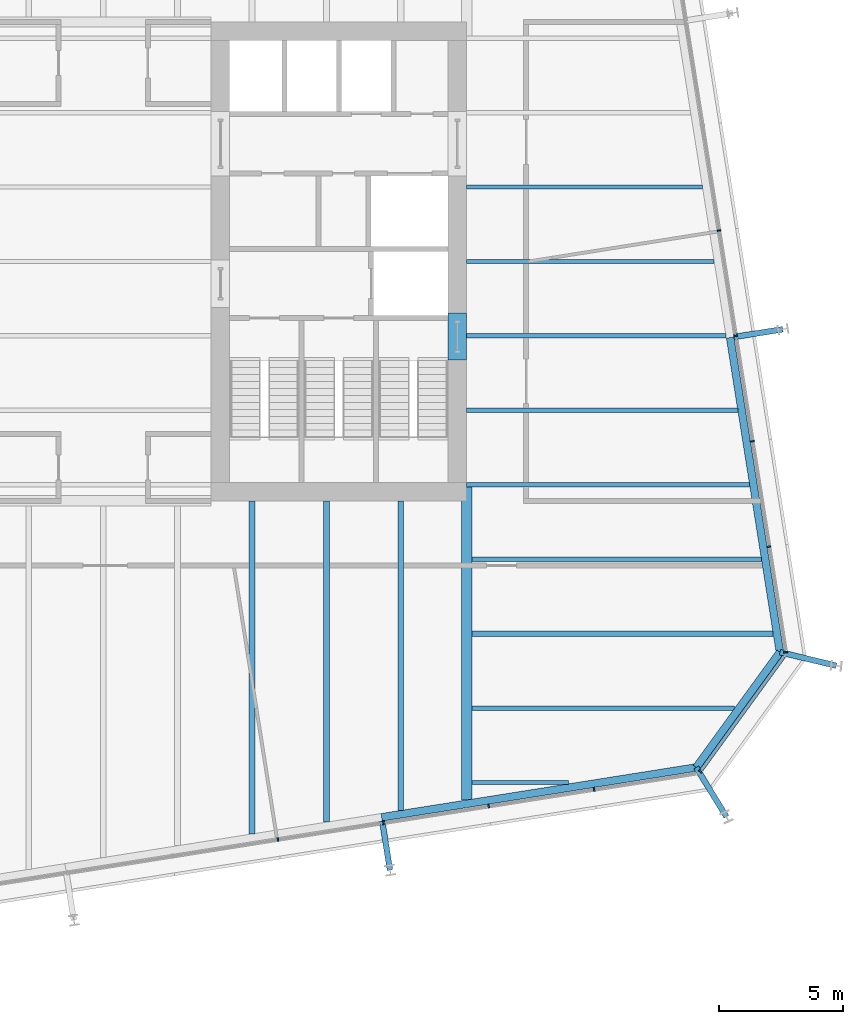
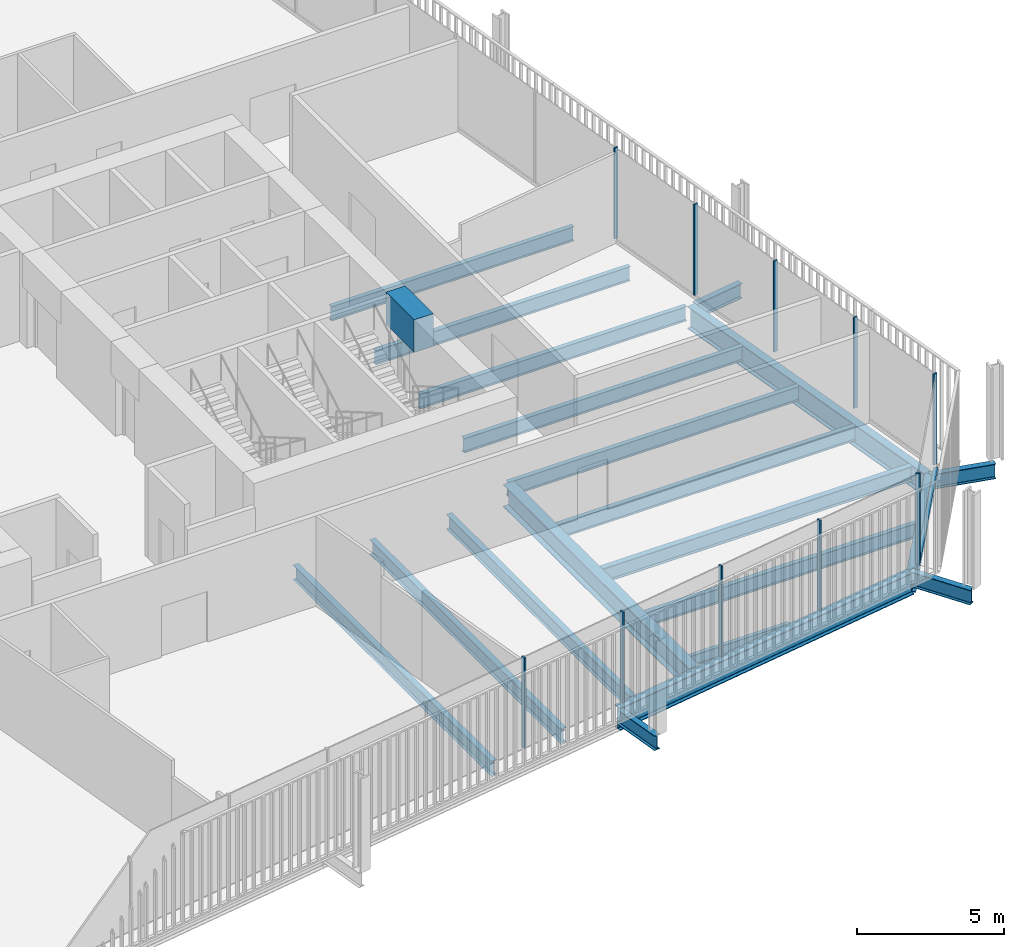
# One storey, part 8 of 21: 21 beams, 11 members, 3 elements without a shape of their own.
"""IFC4 building model written with IfcOpenShell, lengths in metres."""

from ifc_helpers import new_model, si_unit, direction, frame, origin, origin_2d, place, context, subcontext, project, spatial, rectangle, i_section, extrude, material, layer, layer_set, material_profile, profile_set, type_object, element, aggregate, save


model = new_model("IFC4")

# Units and contexts
model_context = context("Model", 3, precision=1e-05, world=origin(), true_north=direction((0.0, 1.0)))
body_context = subcontext(model_context, "Body", "Model", "MODEL_VIEW")
ifc_project = project(units=[si_unit("LENGTHUNIT", "METRE"), si_unit("AREAUNIT", "SQUARE_METRE"), si_unit("VOLUMEUNIT", "CUBIC_METRE"), si_unit("PLANEANGLEUNIT", "RADIAN"), si_unit("MASSUNIT", "GRAM", prefix="KILO")], contexts=[model_context])

# Site, building, storey
site_placement = place(None, origin())
site = spatial("IfcSite", under=ifc_project, at=site_placement, CompositionType="ELEMENT")
building_placement = place(site_placement, origin())
building = spatial("IfcBuilding", under=site, at=building_placement, Name="Millrace Tower", CompositionType="ELEMENT")
storey_placement = place(building_placement, frame((0.0, 0.0, 183.89990234375)))
storey = spatial("IfcBuildingStorey", under=building, at=storey_placement, Name="L41", CompositionType="ELEMENT", Elevation=183.89990234375)

# Curtain wall, members
ifc_material_1 = material(Name="Aluminium and glass", Category="aluminium")
ifc_layer = layer(ifc_material_1, 0.14990234375)
ifc_layer_set = layer_set([ifc_layer], Name="Aluminium and glass")
curtain_wall_type = type_object("IfcCurtainWallType", Name="CW-1 office vision curtain wall", PredefinedType="NOTDEFINED", material=ifc_layer_set)
placement = place(storey_placement, origin())
curtain_wall_1 = element("IfcCurtainWall", 1, at=placement, inside=storey, type_object=curtain_wall_type, Name="Curtain wall C-F02 L41", PredefinedType="NOTDEFINED")
ifc_material_2 = material(Name="Aluminium", Category="aluminium")
ifc_material_profile_1 = material_profile(ifc_material_2, rectangle(XDim=0.06494140625, YDim=0.14990234375, at=origin_2d()))
ifc_profile_set_1 = profile_set([ifc_material_profile_1], Name="Aluminium")
member_type_1 = type_object("IfcMemberType", Name="CW-1 office vision curtain wall mullion", PredefinedType="MULLION", material=ifc_profile_set_1)
member_1_placement = place(storey_placement, frame((7.04345703125, -23.293212890625, 0.14013671875), z_axis=(0.0, 0.0, 1.0), x_axis=(0.98768833929, 0.15643447328, 0.0)))
member_1 = element("IfcMember", 2, at=member_1_placement, type_object=member_type_1, Name="CW1 mullion C-F02.6", PredefinedType="MULLION", context=body_context, shape_type="SweptSolid", body=[
    extrude(rectangle(XDim=0.06494140625, YDim=0.14990234375, at=origin_2d()), origin(), (0.0, 0.0, 1.0), 3.760009765625),
])
member_2_placement = place(storey_placement, frame((11.29052734375, -22.62060546875, 0.14013671875), z_axis=(0.0, 0.0, 1.0), x_axis=(0.98768833929, 0.15643447328, 0.0)))
member_2 = element("IfcMember", 3, at=member_2_placement, type_object=member_type_1, Name="CW1 mullion C-F02.7", PredefinedType="MULLION", context=body_context, shape_type="SweptSolid", body=[
    extrude(rectangle(XDim=0.06494140625, YDim=0.14990234375, at=origin_2d()), origin(), (0.0, 0.0, 1.0), 3.760009765625),
])
member_3_placement = place(storey_placement, frame((15.53759765625, -21.947998046875, 0.14013671875), z_axis=(0.0, 0.0, 1.0), x_axis=(0.98768833929, 0.15643447328, 0.0)))
member_3 = element("IfcMember", 4, at=member_3_placement, type_object=member_type_1, Name="CW1 mullion C-F02.8", PredefinedType="MULLION", context=body_context, shape_type="SweptSolid", body=[
    extrude(rectangle(XDim=0.06494140625, YDim=0.14990234375, at=origin_2d()), origin(), (0.0, 0.0, 1.0), 3.760009765625),
])
member_4_placement = place(storey_placement, frame((19.78466796875, -21.275390625, 0.14013671875), z_axis=(0.0, 0.0, 1.0), x_axis=(0.98768833929, 0.15643447328, 0.0)))
member_4 = element("IfcMember", 5, at=member_4_placement, type_object=member_type_1, Name="CW1 mullion C-F02.9", PredefinedType="MULLION", context=body_context, shape_type="SweptSolid", body=[
    extrude(rectangle(XDim=0.06494140625, YDim=0.14990234375, at=origin_2d()), origin(), (0.0, 0.0, 1.0), 3.760009765625),
])
aggregate(curtain_wall_1, [member_1, member_2, member_3, member_4])

# Curtain wall, member
curtain_wall_2 = element("IfcCurtainWall", 6, at=placement, inside=storey, type_object=curtain_wall_type, Name="Curtain wall C-F03 L41", PredefinedType="NOTDEFINED")
member_5_placement = place(storey_placement, frame((24.06787109375, -20.551513671875, 0.14013671875), z_axis=(0.0, 0.0, 1.0), x_axis=(0.587785269844, 0.809016981623, 0.0)))
member_5 = element("IfcMember", 7, at=member_5_placement, type_object=member_type_1, Name="CW1 mullion C-F03.1", PredefinedType="MULLION", context=body_context, shape_type="SweptSolid", body=[
    extrude(rectangle(XDim=0.06494140625, YDim=0.14990234375, at=origin_2d()), origin(), (0.0, 0.0, 1.0), 3.760009765625),
])

# Curtain wall, members
curtain_wall_3 = element("IfcCurtainWall", 8, at=placement, inside=storey, type_object=curtain_wall_type, Name="Curtain wall C-F04 L41", PredefinedType="NOTDEFINED")
member_6_placement = place(storey_placement, frame((27.506591796875, -15.74169921875, 0.14013671875), z_axis=(0.0, 0.0, 1.0), x_axis=(-0.15643447328, 0.98768833929, 0.0)))
member_6 = element("IfcMember", 9, at=member_6_placement, type_object=member_type_1, Name="CW1 mullion C-F04.1", PredefinedType="MULLION", context=body_context, shape_type="SweptSolid", body=[
    extrude(rectangle(XDim=0.06494140625, YDim=0.14990234375, at=origin_2d()), origin(), (0.0, 0.0, 1.0), 3.760009765625),
])
member_7_placement = place(storey_placement, frame((26.833984375, -11.49462890625, 0.14013671875), z_axis=(0.0, 0.0, 1.0), x_axis=(-0.15643447328, 0.98768833929, 0.0)))
member_7 = element("IfcMember", 10, at=member_7_placement, type_object=member_type_1, Name="CW1 mullion C-F04.2", PredefinedType="MULLION", context=body_context, shape_type="SweptSolid", body=[
    extrude(rectangle(XDim=0.06494140625, YDim=0.14990234375, at=origin_2d()), origin(), (0.0, 0.0, 1.0), 3.760009765625),
])
member_8_placement = place(storey_placement, frame((26.161376953125, -7.24755859375, 0.14013671875), z_axis=(0.0, 0.0, 1.0), x_axis=(-0.15643447328, 0.98768833929, 0.0)))
member_8 = element("IfcMember", 11, at=member_8_placement, type_object=member_type_1, Name="CW1 mullion C-F04.3", PredefinedType="MULLION", context=body_context, shape_type="SweptSolid", body=[
    extrude(rectangle(XDim=0.06494140625, YDim=0.14990234375, at=origin_2d()), origin(), (0.0, 0.0, 1.0), 3.760009765625),
])
member_9_placement = place(storey_placement, frame((25.48876953125, -3.00048828125, 0.14013671875), z_axis=(0.0, 0.0, 1.0), x_axis=(-0.15643447328, 0.98768833929, 0.0)))
member_9 = element("IfcMember", 12, at=member_9_placement, type_object=member_type_1, Name="CW1 mullion C-F04.4", PredefinedType="MULLION", context=body_context, shape_type="SweptSolid", body=[
    extrude(rectangle(XDim=0.06494140625, YDim=0.14990234375, at=origin_2d()), origin(), (0.0, 0.0, 1.0), 3.760009765625),
])
member_10_placement = place(storey_placement, frame((24.81591796875, 1.24658203125, 0.14013671875), z_axis=(0.0, 0.0, 1.0), x_axis=(-0.15643447328, 0.98768833929, 0.0)))
member_10 = element("IfcMember", 13, at=member_10_placement, type_object=member_type_1, Name="CW1 mullion C-F04.5", PredefinedType="MULLION", context=body_context, shape_type="SweptSolid", body=[
    extrude(rectangle(XDim=0.06494140625, YDim=0.14990234375, at=origin_2d()), origin(), (0.0, 0.0, 1.0), 3.760009765625),
])
aggregate(curtain_wall_3, [member_6, member_7, member_8, member_9, member_10])

# Member
ifc_material_3 = material(Name="Aluminium", Category="aluminium")
ifc_material_profile_2 = material_profile(ifc_material_3, rectangle(XDim=0.14990234375, YDim=0.139892578125, at=origin_2d()))
ifc_profile_set_2 = profile_set([ifc_material_profile_2], Name="Aluminium")
member_type_2 = type_object("IfcMemberType", Name="CW-1 office vision curtain wall transom", PredefinedType="USERDEFINED", material=ifc_profile_set_2)
member_11_placement = place(storey_placement, frame((24.107421875, -20.496826171875, 0.070068359375), z_axis=(0.587810581339, 0.808998591139, 0.0), x_axis=(-0.808998591139, 0.587810581339, 0.0)))
member_11 = element("IfcMember", 14, at=member_11_placement, type_object=member_type_2, Name="CW1 transom C-F03.1", ObjectType="TRANSOM", PredefinedType="USERDEFINED", context=body_context, shape_type="SweptSolid", body=[
    extrude(rectangle(XDim=0.14990234375, YDim=0.139892578125, at=origin_2d()), origin(), (0.0, 0.0, 1.0), 5.6689453125),
])

aggregate(curtain_wall_2, [member_5, member_11])

# Beams
ifc_material_4 = material(Name="Concrete C70", Category="concrete")
ifc_material_profile_3 = material_profile(ifc_material_4, rectangle(XDim=0.75, YDim=1.340087890625, at=origin_2d()))
ifc_profile_set_3 = profile_set([ifc_material_profile_3], Name="Concrete C70")
beam_type_1 = type_object("IfcBeamType", Name="Coupling beam 750 x 1340 Concrete C70, 1300 opening", PredefinedType="BEAM", material=ifc_profile_set_3)
beam_1_placement = place(storey_placement, frame((14.27490234375, -2.080078125, 3.070068359375), z_axis=(0.0, -1.0, 0.0), x_axis=(1.0, 0.0, 0.0)))
element("IfcBeam", 15, at=beam_1_placement, inside=storey, type_object=beam_type_1, Name="Coupling beam E L41", PredefinedType="BEAM", context=body_context, shape_type="SweptSolid", body=[
    extrude(rectangle(XDim=0.75, YDim=1.340087890625, at=origin_2d()), origin(), (0.0, 0.0, 1.0), 1.89990234375),
])
ifc_material_5 = material(Name="Steel ASTM A992 Grade 50", Category="steel")
ifc_material_profile_4 = material_profile(ifc_material_5, i_section(OverallWidth=0.15234375, OverallDepth=0.449462890625, WebThickness=0.007568359375, FlangeThickness=0.0107421875, FilletRadius=0.01025390625, at=origin_2d()))
ifc_profile_set_4 = profile_set([ifc_material_profile_4], Name="Steel ASTM A992 Grade 50")
beam_type_2 = type_object("IfcBeamType", Name="Floor beam W18x35", PredefinedType="JOIST", material=ifc_profile_set_4)
beam_2_placement = place(storey_placement, frame((14.859619140625, -21.0, -0.384765625), z_axis=(1.0, 0.0, 0.0), x_axis=(0.0, 1.0, 0.0)))
element("IfcBeam", 16, at=beam_2_placement, inside=storey, type_object=beam_type_2, Name="BM-C-L41-S1-S003", PredefinedType="JOIST", context=body_context, shape_type="SweptSolid", body=[
    extrude(i_section(OverallWidth=0.15234375, OverallDepth=0.449462890625, WebThickness=0.007568359375, FlangeThickness=0.0107421875, FilletRadius=0.01025390625, at=origin_2d()), origin(), (0.0, 0.0, 1.0), 3.9033203125),
])
ifc_material_6 = material(Name="Steel ASTM A992 Grade 50", Category="steel")
ifc_material_profile_5 = material_profile(ifc_material_6, i_section(OverallWidth=0.177978515625, OverallDepth=0.599365234375, WebThickness=0.010009765625, FlangeThickness=0.012939453125, FilletRadius=0.012939453125, at=origin_2d()))
ifc_profile_set_5 = profile_set([ifc_material_profile_5], Name="Steel ASTM A992 Grade 50")
beam_type_3 = type_object("IfcBeamType", Name="Floor beam W24x55", PredefinedType="JOIST", material=ifc_profile_set_5)
beam_3_placement = place(storey_placement, frame((14.64990234375, 0.0, -0.459716796875), z_axis=(1.0, 0.0, 0.0), x_axis=(0.0, 1.0, 0.0)))
element("IfcBeam", 17, at=beam_3_placement, inside=storey, type_object=beam_type_3, Name="BM-C-L41-S1-S021", PredefinedType="JOIST", context=body_context, shape_type="SweptSolid", body=[
    extrude(i_section(OverallWidth=0.177978515625, OverallDepth=0.599365234375, WebThickness=0.010009765625, FlangeThickness=0.012939453125, FilletRadius=0.012939453125, at=origin_2d()), origin(), (0.0, 0.0, 1.0), 9.976318359375),
])
beam_4_placement = place(storey_placement, frame((14.64990234375, 3.0, -0.459716796875), z_axis=(1.0, 0.0, 0.0), x_axis=(0.0, 1.0, 0.0)))
element("IfcBeam", 18, at=beam_4_placement, inside=storey, type_object=beam_type_3, Name="BM-C-L41-S1-S024", PredefinedType="JOIST", context=body_context, shape_type="SweptSolid", body=[
    extrude(i_section(OverallWidth=0.177978515625, OverallDepth=0.599365234375, WebThickness=0.010009765625, FlangeThickness=0.012939453125, FilletRadius=0.012939453125, at=origin_2d()), origin(), (0.0, 0.0, 1.0), 9.501220703125),
])
ifc_material_7 = material(Name="Steel ASTM A992 Grade 50", Category="steel")
ifc_material_profile_6 = material_profile(ifc_material_7, i_section(OverallWidth=0.1787109375, OverallDepth=0.60205078125, WebThickness=0.010986328125, FlangeThickness=0.014892578125, FilletRadius=0.0126953125, at=origin_2d()))
ifc_profile_set_6 = profile_set([ifc_material_profile_6], Name="Steel ASTM A992 Grade 50")
beam_type_4 = type_object("IfcBeamType", Name="Floor beam W24x62", PredefinedType="JOIST", material=ifc_profile_set_6)
beam_5_placement = place(storey_placement, frame((14.859619140625, -12.0, -0.4609375), z_axis=(1.0, 0.0, 0.0), x_axis=(0.0, 1.0, 0.0)))
element("IfcBeam", 19, at=beam_5_placement, inside=storey, type_object=beam_type_4, Name="BM-C-L41-S1-S009", PredefinedType="JOIST", context=body_context, shape_type="SweptSolid", body=[
    extrude(i_section(OverallWidth=0.1787109375, OverallDepth=0.60205078125, WebThickness=0.010986328125, FlangeThickness=0.014892578125, FilletRadius=0.0126953125, at=origin_2d()), origin(), (0.0, 0.0, 1.0), 11.667236328125),
])
beam_6_placement = place(storey_placement, frame((14.64990234375, -9.0, -0.4609375), z_axis=(1.0, 0.0, 0.0), x_axis=(0.0, 1.0, 0.0)))
element("IfcBeam", 20, at=beam_6_placement, inside=storey, type_object=beam_type_4, Name="BM-C-L41-S1-S012", PredefinedType="JOIST", context=body_context, shape_type="SweptSolid", body=[
    extrude(i_section(OverallWidth=0.1787109375, OverallDepth=0.60205078125, WebThickness=0.010986328125, FlangeThickness=0.014892578125, FilletRadius=0.0126953125, at=origin_2d()), origin(), (0.0, 0.0, 1.0), 11.40185546875),
])
beam_7_placement = place(storey_placement, frame((14.64990234375, -6.0, -0.4609375), z_axis=(1.0, 0.0, 0.0), x_axis=(0.0, 1.0, 0.0)))
element("IfcBeam", 21, at=beam_7_placement, inside=storey, type_object=beam_type_4, Name="BM-C-L41-S1-S015", PredefinedType="JOIST", context=body_context, shape_type="SweptSolid", body=[
    extrude(i_section(OverallWidth=0.1787109375, OverallDepth=0.60205078125, WebThickness=0.010986328125, FlangeThickness=0.014892578125, FilletRadius=0.0126953125, at=origin_2d()), origin(), (0.0, 0.0, 1.0), 10.9267578125),
])
beam_8_placement = place(storey_placement, frame((14.64990234375, -3.0, -0.4609375), z_axis=(1.0, 0.0, 0.0), x_axis=(0.0, 1.0, 0.0)))
element("IfcBeam", 22, at=beam_8_placement, inside=storey, type_object=beam_type_4, Name="BM-C-L41-S1-S018", PredefinedType="JOIST", context=body_context, shape_type="SweptSolid", body=[
    extrude(i_section(OverallWidth=0.1787109375, OverallDepth=0.60205078125, WebThickness=0.010986328125, FlangeThickness=0.014892578125, FilletRadius=0.0126953125, at=origin_2d()), origin(), (0.0, 0.0, 1.0), 10.45166015625),
])
beam_9_placement = place(storey_placement, frame((14.859619140625, -18.0, -0.4609375), z_axis=(1.0, 0.0, 0.0), x_axis=(0.0, 1.0, 0.0)))
element("IfcBeam", 23, at=beam_9_placement, inside=storey, type_object=beam_type_4, Name="BM-C-L41-S1-S005", PredefinedType="JOIST", context=body_context, shape_type="SweptSolid", body=[
    extrude(i_section(OverallWidth=0.1787109375, OverallDepth=0.60205078125, WebThickness=0.010986328125, FlangeThickness=0.014892578125, FilletRadius=0.0126953125, at=origin_2d()), origin(), (0.0, 0.0, 1.0), 10.577392578125),
])
ifc_material_8 = material(Name="Steel ASTM A992 Grade 50", Category="steel")
ifc_material_profile_7 = material_profile(ifc_material_8, i_section(OverallWidth=0.228271484375, OverallDepth=0.607177734375, WebThickness=0.01123046875, FlangeThickness=0.017333984375, FilletRadius=0.0126953125, at=origin_2d()))
ifc_profile_set_7 = profile_set([ifc_material_profile_7], Name="Steel ASTM A992 Grade 50")
beam_type_5 = type_object("IfcBeamType", Name="Floor beam W24x76", PredefinedType="JOIST", material=ifc_profile_set_7)
beam_10_placement = place(storey_placement, frame((14.859619140625, -15.0, -0.46337890625), z_axis=(1.0, 0.0, 0.0), x_axis=(0.0, 1.0, 0.0)))
element("IfcBeam", 24, at=beam_10_placement, inside=storey, type_object=beam_type_5, Name="BM-C-L41-S1-S007", PredefinedType="JOIST", context=body_context, shape_type="SweptSolid", body=[
    extrude(i_section(OverallWidth=0.228271484375, OverallDepth=0.607177734375, WebThickness=0.01123046875, FlangeThickness=0.017333984375, FilletRadius=0.0126953125, at=origin_2d()), origin(), (0.0, 0.0, 1.0), 12.142578125),
])
beam_11_placement = place(storey_placement, frame((6.0, -23.071533203125, -0.46337890625), z_axis=(0.0, 1.0, 0.0), x_axis=(-1.0, 0.0, 0.0)))
element("IfcBeam", 25, at=beam_11_placement, inside=storey, type_object=beam_type_5, Name="BM-C-L41-S1-S052", PredefinedType="JOIST", context=body_context, shape_type="SweptSolid", body=[
    extrude(i_section(OverallWidth=0.228271484375, OverallDepth=0.607177734375, WebThickness=0.01123046875, FlangeThickness=0.017333984375, FilletRadius=0.0126953125, at=origin_2d()), origin(), (0.0, 0.0, 1.0), 13.421630859375),
])
beam_12_placement = place(storey_placement, frame((9.0, -22.596435546875, -0.46337890625), z_axis=(0.0, 1.0, 0.0), x_axis=(-1.0, 0.0, 0.0)))
element("IfcBeam", 26, at=beam_12_placement, inside=storey, type_object=beam_type_5, Name="BM-C-L41-S1-S054", PredefinedType="JOIST", context=body_context, shape_type="SweptSolid", body=[
    extrude(i_section(OverallWidth=0.228271484375, OverallDepth=0.607177734375, WebThickness=0.01123046875, FlangeThickness=0.017333984375, FilletRadius=0.0126953125, at=origin_2d()), origin(), (0.0, 0.0, 1.0), 12.946533203125),
])
beam_13_placement = place(storey_placement, frame((12.0, -22.12109375, -0.46337890625), z_axis=(0.0, 1.0, 0.0), x_axis=(-1.0, 0.0, 0.0)))
element("IfcBeam", 27, at=beam_13_placement, inside=storey, type_object=beam_type_5, Name="BM-C-L41-S1-S056", PredefinedType="JOIST", context=body_context, shape_type="SweptSolid", body=[
    extrude(i_section(OverallWidth=0.228271484375, OverallDepth=0.607177734375, WebThickness=0.01123046875, FlangeThickness=0.017333984375, FilletRadius=0.0126953125, at=origin_2d()), origin(), (0.0, 0.0, 1.0), 12.47119140625),
])
ifc_material_9 = material(Name="Steel ASTM A992 Grade 50", Category="steel")
ifc_material_profile_8 = material_profile(ifc_material_9, i_section(OverallWidth=0.419189453125, OverallDepth=0.927001953125, WebThickness=0.019287109375, FlangeThickness=0.031982421875, FilletRadius=0.024169921875, at=origin_2d()))
ifc_profile_set_8 = profile_set([ifc_material_profile_8], Name="Steel ASTM A992 Grade 50")
beam_type_6 = type_object("IfcBeamType", Name="Girder medium span W36x231", PredefinedType="BEAM", material=ifc_profile_set_8)
beam_14_placement = place(storey_placement, frame((14.64990234375, -21.693603515625, -0.62353515625), z_axis=(0.0, 1.0, 0.0), x_axis=(-1.0, 0.0, 0.0)))
element("IfcBeam", 28, at=beam_14_placement, inside=storey, type_object=beam_type_6, Name="BM-C-L41-S1-G060", PredefinedType="BEAM", context=body_context, shape_type="SweptSolid", body=[
    extrude(i_section(OverallWidth=0.419189453125, OverallDepth=0.927001953125, WebThickness=0.019287109375, FlangeThickness=0.031982421875, FilletRadius=0.024169921875, at=origin_2d()), origin(), (0.0, 0.0, 1.0), 12.603515625),
])
ifc_material_10 = material(Name="Steel ASTM A992 Grade 50", Category="steel")
ifc_material_profile_9 = material_profile(ifc_material_10, i_section(OverallWidth=0.23046875, OverallDepth=0.6171875, WebThickness=0.01318359375, FlangeThickness=0.022216796875, FilletRadius=0.012939453125, at=origin_2d()))
ifc_profile_set_9 = profile_set([ifc_material_profile_9], Name="Steel ASTM A992 Grade 50")
beam_type_7 = type_object("IfcBeamType", Name="Link beam W24x94", PredefinedType="BEAM", material=ifc_profile_set_9)
beam_15_placement = place(storey_placement, frame((25.419677734375, -3.04443359375, -0.468505859375), z_axis=(0.987678691416, 0.156495375404, 0.0), x_axis=(-0.156495375404, 0.987678691416, 0.0)))
element("IfcBeam", 29, at=beam_15_placement, inside=storey, type_object=beam_type_7, Name="LNK-C-L41-S1-11", PredefinedType="BEAM", context=body_context, shape_type="SweptSolid", body=[
    extrude(i_section(OverallWidth=0.23046875, OverallDepth=0.6171875, WebThickness=0.01318359375, FlangeThickness=0.022216796875, FilletRadius=0.012939453125, at=origin_2d()), origin(), (0.0, 0.0, 1.0), 2.0),
])
beam_16_placement = place(storey_placement, frame((27.27587890625, -15.746826171875, -0.468505859375), z_axis=(0.972373041068, -0.233432364948, 0.0), x_axis=(0.233432364948, 0.972373041068, 0.0)))
element("IfcBeam", 30, at=beam_16_placement, inside=storey, type_object=beam_type_7, Name="LNK-C-L41-S1-12", PredefinedType="BEAM", context=body_context, shape_type="SweptSolid", body=[
    extrude(i_section(OverallWidth=0.23046875, OverallDepth=0.6171875, WebThickness=0.01318359375, FlangeThickness=0.022216796875, FilletRadius=0.012939453125, at=origin_2d()), origin(), (0.0, 0.0, 1.0), 2.331298828125),
])
beam_17_placement = place(storey_placement, frame((23.901123046875, -20.391845703125, -0.468505859375), z_axis=(0.522512938711, -0.852631355792, 0.0), x_axis=(0.852631355792, 0.522512938711, 0.0)))
element("IfcBeam", 31, at=beam_17_placement, inside=storey, type_object=beam_type_7, Name="LNK-C-L41-S1-13", PredefinedType="BEAM", context=body_context, shape_type="SweptSolid", body=[
    extrude(i_section(OverallWidth=0.23046875, OverallDepth=0.6171875, WebThickness=0.01318359375, FlangeThickness=0.022216796875, FilletRadius=0.012939453125, at=origin_2d()), origin(), (0.0, 0.0, 1.0), 2.3310546875),
])
beam_18_placement = place(storey_placement, frame((11.246826171875, -22.5517578125, -0.468505859375), z_axis=(0.15637629034, -0.987697552806, 0.0), x_axis=(0.987697552806, 0.15637629034, 0.0)))
element("IfcBeam", 32, at=beam_18_placement, inside=storey, type_object=beam_type_7, Name="LNK-C-L41-S1-14", PredefinedType="BEAM", context=body_context, shape_type="SweptSolid", body=[
    extrude(i_section(OverallWidth=0.23046875, OverallDepth=0.6171875, WebThickness=0.01318359375, FlangeThickness=0.022216796875, FilletRadius=0.012939453125, at=origin_2d()), origin(), (0.0, 0.0, 1.0), 2.0),
])
ifc_material_11 = material(Name="Steel ASTM A992 Grade 50", Category="steel")
ifc_material_profile_10 = material_profile(ifc_material_11, i_section(OverallWidth=0.307373046875, OverallDepth=0.927001953125, WebThickness=0.01953125, FlangeThickness=0.031982421875, FilletRadius=0.01904296875, at=origin_2d()))
ifc_profile_set_10 = profile_set([ifc_material_profile_10], Name="Steel ASTM A992 Grade 50")
beam_type_8 = type_object("IfcBeamType", Name="Ring beam medium span W36x194", PredefinedType="SPANDREL", material=ifc_profile_set_10)
for number, where, z_axis, x_axis, name in (
    (33, (25.267822265625, -3.068359375, -0.62353515625), (0.15643330783, -0.987688523879, 0.0), (0.987688523879, 0.15643330783, 0.0), "RNG-C-L41-S1-11"),
    (34, (23.901123046875, -20.391845703125, -0.62353515625), (-0.987688523879, -0.15643330783, 0.0), (0.15643330783, -0.987688523879, 0.0), "RNG-C-L41-S1-13"),
):
    element("IfcBeam", number, at=place(storey_placement, frame(where, z_axis=z_axis, x_axis=x_axis)), inside=storey, type_object=beam_type_8, Name=name, PredefinedType="SPANDREL", context=body_context, shape_type="SweptSolid", body=[
        extrude(i_section(OverallWidth=0.307373046875, OverallDepth=0.927001953125, WebThickness=0.01953125, FlangeThickness=0.031982421875, FilletRadius=0.01904296875, at=origin_2d()), origin(), (0.0, 0.0, 1.0), 12.83642578125),
    ])
ifc_material_12 = material(Name="Steel ASTM A992 Grade 50", Category="steel")
ifc_material_profile_11 = material_profile(ifc_material_12, i_section(OverallWidth=0.307373046875, OverallDepth=0.927001953125, WebThickness=0.01953125, FlangeThickness=0.031982421875, FilletRadius=0.01904296875, at=origin_2d()))
ifc_profile_set_11 = profile_set([ifc_material_profile_11], Name="Steel ASTM A992 Grade 50")
beam_type_9 = type_object("IfcBeamType", Name="Ring beam short span W36x194", PredefinedType="SPANDREL", material=ifc_profile_set_11)
beam_19_placement = place(storey_placement, frame((27.27587890625, -15.746826171875, -0.62353515625), z_axis=(-0.58777973792, -0.809021000772, 0.0), x_axis=(0.809021000772, -0.58777973792, 0.0)))
element("IfcBeam", 35, at=beam_19_placement, inside=storey, type_object=beam_type_9, Name="RNG-C-L41-S1-12", PredefinedType="SPANDREL", context=body_context, shape_type="SweptSolid", body=[
    extrude(i_section(OverallWidth=0.307373046875, OverallDepth=0.927001953125, WebThickness=0.01953125, FlangeThickness=0.031982421875, FilletRadius=0.01904296875, at=origin_2d()), origin(), (0.0, 0.0, 1.0), 5.741455078125),
])

save(model, "model.ifc")
